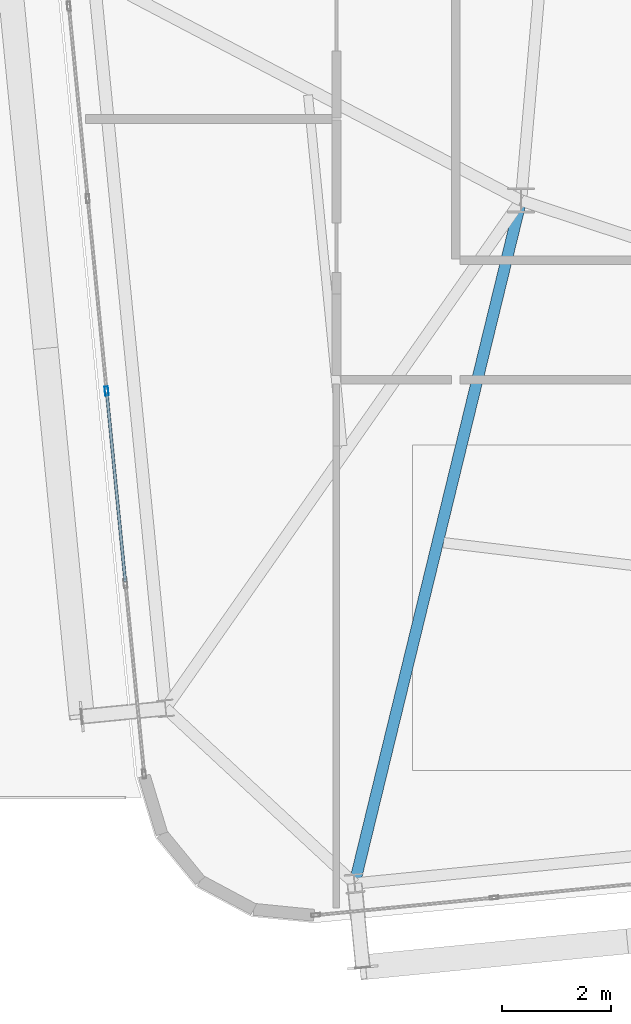
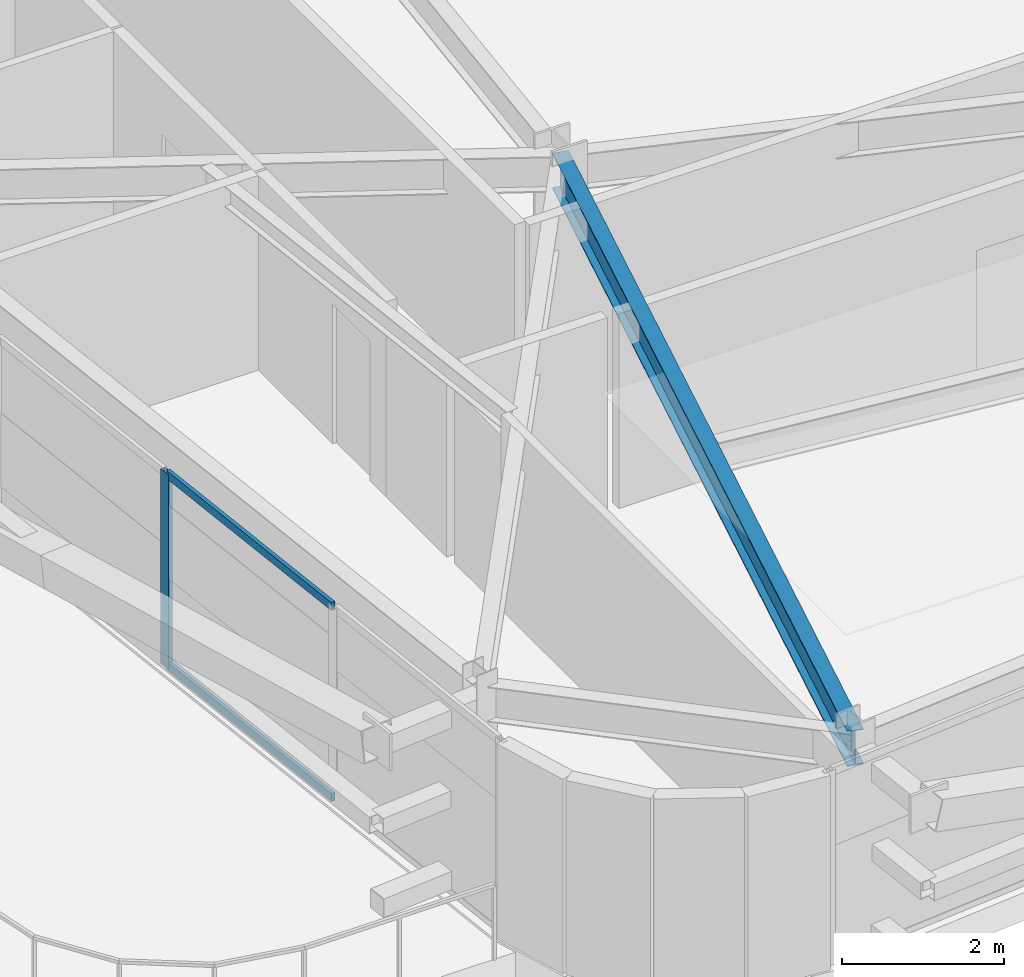
# One storey, part 7 of 51: 3 members, 1 beam, 1 element without a shape of its own.
"""IFC4 building model written with IfcOpenShell, lengths in metres."""

from ifc_helpers import new_model, si_unit, direction, frame, origin, origin_2d, place, context, subcontext, project, spatial, hollow_rectangle, i_section, extrude, source, transform, mapped, material, layer, layer_set, material_profile, profile_set, type_object, element, aggregate, save


model = new_model("IFC4")

# Units and contexts
model_context = context("Model", 3, precision=1e-05, world=origin(), true_north=direction((0.0, 1.0)))
body_context = subcontext(model_context, "Body", "Model", "MODEL_VIEW")
ifc_project = project(units=[si_unit("LENGTHUNIT", "METRE"), si_unit("AREAUNIT", "SQUARE_METRE"), si_unit("VOLUMEUNIT", "CUBIC_METRE"), si_unit("PLANEANGLEUNIT", "RADIAN"), si_unit("MASSUNIT", "GRAM", prefix="KILO")], contexts=[model_context])

# Site, building, storey
site_placement = place(None, origin())
site = spatial("IfcSite", under=ifc_project, at=site_placement, CompositionType="ELEMENT")
building_placement = place(site_placement, origin())
building = spatial("IfcBuilding", under=site, at=building_placement, Name="Taldren Reach Tower", CompositionType="ELEMENT")
storey_placement = place(building_placement, frame((0.0, 0.0, 65.10009765625)))
storey = spatial("IfcBuildingStorey", under=building, at=storey_placement, Name="L19", CompositionType="ELEMENT", Elevation=65.10009765625)

# Beam
ifc_material_1 = material(Name="Steel Gr 350 (350PLUS)", Category="steel")
ifc_material_profile_1 = material_profile(ifc_material_1, i_section(OverallWidth=0.208984375, OverallDepth=0.532958984375, WebThickness=0.01025390625, FlangeThickness=0.015625, at=origin_2d()), Name="530UB92.4")
ifc_profile_set_1 = profile_set([ifc_material_profile_1], Name="Steel Gr 350 (350PLUS)")
beam_type = type_object("IfcBeamType", Name="BM-UB530A", PredefinedType="BEAM", material=ifc_profile_set_1)
shared_shape_1 = source(origin(), body_context, "Body", "SweptSolid", [
    extrude(i_section(OverallWidth=0.208984375, OverallDepth=0.532958984375, WebThickness=0.01025390625, FlangeThickness=0.015625, at=origin_2d()), origin(), (0.0, 0.0, 1.0), 12.947998046875),
])
beam_placement = place(storey_placement, frame((18.0, 12.5, 2.663330078125), z_axis=(-0.236786022782, -0.971561824803, 0.0), x_axis=(0.971561824803, -0.236786022782, 0.0)))
element("IfcBeam", 1, at=beam_placement, inside=storey, type_object=beam_type, Name="Primary floor girder B2-S1 L19", PredefinedType="BEAM", context=body_context, shape_type="MappedRepresentation", body=[
    mapped(shared_shape_1, transform((0.0, 0.0, 0.0), scale=1.0)),
])

# Curtain wall, members
ifc_material_2 = material(Name="Aluminium and Low-E Glass Unitised System", Category="aluminium")
ifc_layer = layer(ifc_material_2, 0.159912109375)
ifc_layer_set = layer_set([ifc_layer], Name="Aluminium and Low-E Glass Unitised System")
curtain_wall_type = type_object("IfcCurtainWallType", Name="CW-SYS-3", PredefinedType="NOTDEFINED", material=ifc_layer_set)
curtain_wall_placement = place(storey_placement, origin())
curtain_wall = element("IfcCurtainWall", 2, at=curtain_wall_placement, inside=storey, type_object=curtain_wall_type, Name="Unitised curtain wall CW-L19-W2", PredefinedType="NOTDEFINED")
ifc_material_3 = material(Name="Anodised Aluminium 6063-T6", Category="aluminium")
ifc_material_profile_2 = material_profile(ifc_material_3, hollow_rectangle(XDim=0.06494140625, YDim=0.1650390625, WallThickness=0.00390625, at=origin_2d()), Name="ALU-165x65x4RHS")
ifc_profile_set_2 = profile_set([ifc_material_profile_2], Name="Anodised Aluminium 6063-T6")
member_type_1 = type_object("IfcMemberType", Name="CW-MUL-165", PredefinedType="MULLION", material=ifc_profile_set_2)
shared_shape_2 = source(origin(), body_context, "Body", "SweptSolid", [
    extrude(hollow_rectangle(XDim=0.06494140625, YDim=0.1650390625, WallThickness=0.00390625, at=origin_2d()), origin(), (0.0, 0.0, 1.0), 2.929931640625),
])
member_1_placement = place(storey_placement, frame((10.367431640625, 8.989501953125, 0.0), z_axis=(0.0, 0.0, 1.0), x_axis=(0.995227392345, 0.097582977646, 0.0)))
member_1 = element("IfcMember", 3, at=member_1_placement, type_object=member_type_1, Name="CW-3 mullion 5", PredefinedType="MULLION", context=body_context, shape_type="MappedRepresentation", body=[
    mapped(shared_shape_2, transform((0.0, 0.0, 0.0), scale=1.0)),
])
ifc_material_profile_3 = material_profile(ifc_material_3, hollow_rectangle(XDim=0.054931640625, YDim=0.1201171875, WallThickness=0.0029296875, at=origin_2d()), Name="ALU-120x55x3RHS")
ifc_profile_set_3 = profile_set([ifc_material_profile_3], Name="Anodised Aluminium 6063-T6")
member_type_2 = type_object("IfcMemberType", Name="CW-TRN-135", PredefinedType="USERDEFINED", material=ifc_profile_set_3)
shared_shape_3 = source(origin(), body_context, "Body", "SweptSolid", [
    extrude(hollow_rectangle(XDim=0.054931640625, YDim=0.1201171875, WallThickness=0.0029296875, at=origin_2d()), origin(), (0.0, 0.0, 1.0), 3.49560546875),
])
member_2_placement = place(storey_placement, frame((10.37060546875, 8.95703125, 0.02734375), z_axis=(0.09756735487, -0.995228924049, 0.0), x_axis=(0.995228924049, 0.09756735487, 0.0)))
member_2 = element("IfcMember", 4, at=member_2_placement, type_object=member_type_2, Name="CW-3 transom 5.1", ObjectType="TRANSOM", PredefinedType="USERDEFINED", context=body_context, shape_type="MappedRepresentation", body=[
    mapped(shared_shape_3, transform((0.0, 0.0, 0.0), scale=1.0)),
])
member_3_placement = place(storey_placement, frame((10.37060546875, 8.95703125, 2.90234375), z_axis=(0.09756735487, -0.995228924049, 0.0), x_axis=(0.995228924049, 0.09756735487, 0.0)))
member_3 = element("IfcMember", 5, at=member_3_placement, type_object=member_type_2, Name="CW-3 transom 5.2", ObjectType="TRANSOM", PredefinedType="USERDEFINED", context=body_context, shape_type="MappedRepresentation", body=[
    mapped(shared_shape_3, transform((0.0, 0.0, 0.0), scale=1.0)),
])
aggregate(curtain_wall, [member_1, member_2, member_3])

save(model, "model.ifc")
